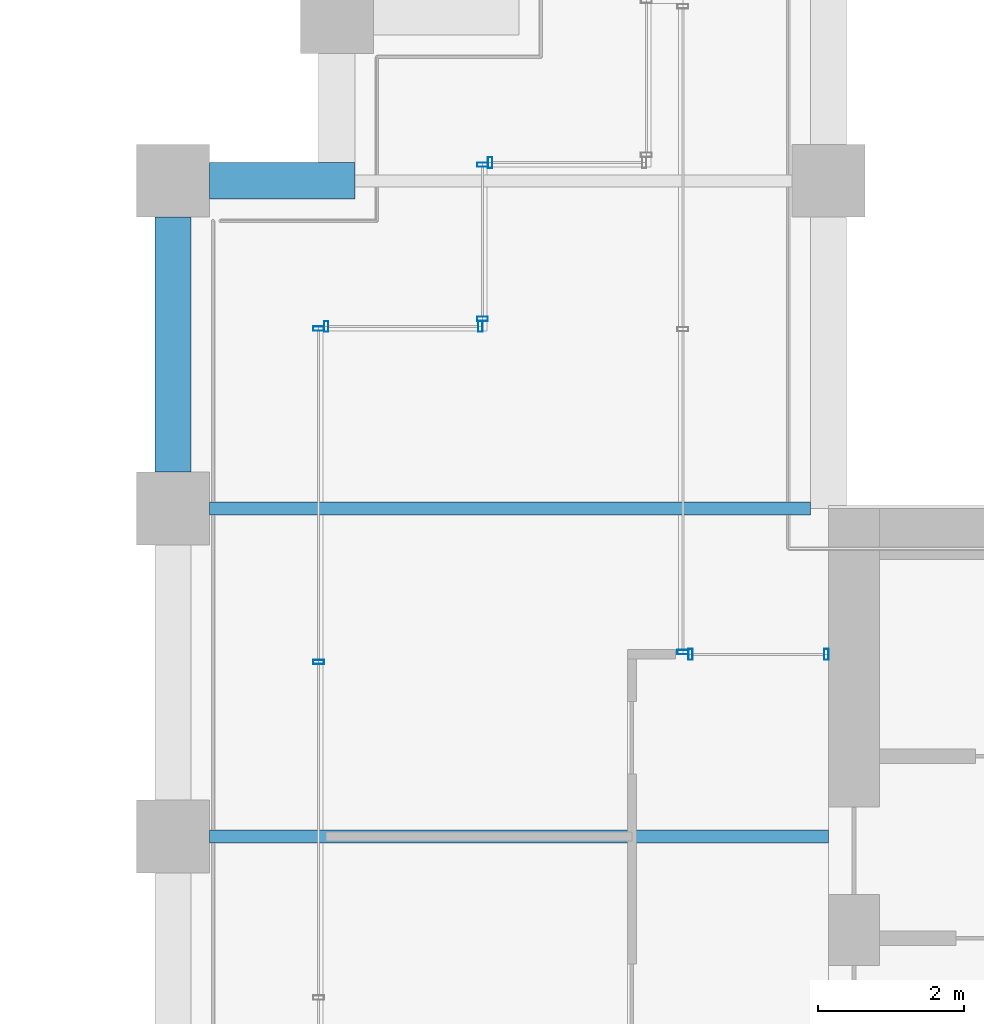
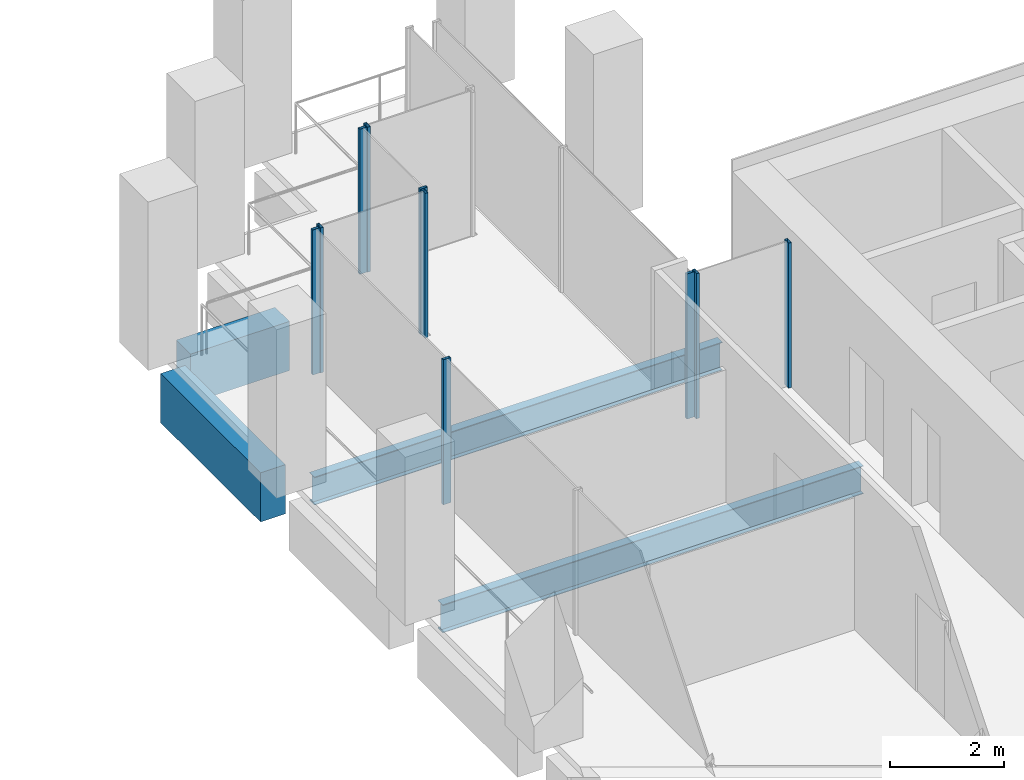
# One storey, part 34 of 47: 10 members, 4 beams, 6 elements without a shape of their own.
"""IFC4 building model written with IfcOpenShell, lengths in metres."""

from ifc_helpers import new_model, si_unit, direction, frame, origin, origin_2d, place, context, subcontext, project, spatial, rectangle, hollow_rectangle, i_section, extrude, material, material_profile, profile_set, type_object, element, aggregate, save


model = new_model("IFC4")

# Units and contexts
model_context = context("Model", 3, precision=1e-05, world=origin(), true_north=direction((0.0, 1.0)))
body_context = subcontext(model_context, "Body", "Model", "MODEL_VIEW")
ifc_project = project(units=[si_unit("LENGTHUNIT", "METRE"), si_unit("AREAUNIT", "SQUARE_METRE"), si_unit("VOLUMEUNIT", "CUBIC_METRE"), si_unit("PLANEANGLEUNIT", "RADIAN"), si_unit("MASSUNIT", "GRAM", prefix="KILO")], contexts=[model_context])

# Site, building, storey
site_placement = place(None, origin())
site = spatial("IfcSite", under=ifc_project, at=site_placement, CompositionType="ELEMENT")
building_placement = place(site_placement, origin())
building = spatial("IfcBuilding", under=site, at=building_placement, Name="Altepetl Exchange Towers", CompositionType="ELEMENT")
storey_placement = place(building_placement, frame((0.0, 0.0, 95.60009765625)))
storey = spatial("IfcBuildingStorey", under=building, at=storey_placement, Name="L23", CompositionType="ELEMENT", Elevation=95.60009765625)

# Beams
ifc_material_1 = material(Name="Steel S355", Category="steel")
ifc_material_profile_1 = material_profile(ifc_material_1, i_section(OverallWidth=0.177978515625, OverallDepth=0.59912109375, WebThickness=0.010009765625, FlangeThickness=0.0126953125, at=origin_2d()), Name="W24X55")
ifc_profile_set_1 = profile_set([ifc_material_profile_1], Name="Steel S355")
beam_type_1 = type_object("IfcBeamType", Name="Floor beam W24X55", PredefinedType="BEAM", material=ifc_profile_set_1)
beam_1_placement = place(storey_placement, frame((95.0, 45.0, -0.44970703125), z_axis=(1.0, 0.0, 0.0), x_axis=(0.0, 1.0, 0.0)))
element("IfcBeam", 1, at=beam_1_placement, inside=storey, type_object=beam_type_1, Name="bm:B:L23:009", PredefinedType="BEAM", context=body_context, shape_type="SweptSolid", body=[
    extrude(i_section(OverallWidth=0.177978515625, OverallDepth=0.59912109375, WebThickness=0.010009765625, FlangeThickness=0.0126953125, at=origin_2d()), origin(), (0.0, 0.0, 1.0), 8.5),
])
beam_2_placement = place(storey_placement, frame((95.0, 49.5, -0.44970703125), z_axis=(1.0, 0.0, 0.0), x_axis=(0.0, 1.0, 0.0)))
element("IfcBeam", 2, at=beam_2_placement, inside=storey, type_object=beam_type_1, Name="bm:B:L23:010", PredefinedType="BEAM", context=body_context, shape_type="SweptSolid", body=[
    extrude(i_section(OverallWidth=0.177978515625, OverallDepth=0.59912109375, WebThickness=0.010009765625, FlangeThickness=0.0126953125, at=origin_2d()), origin(), (0.0, 0.0, 1.0), 8.25),
])

# Curtain wall, members
ifc_material_2 = material(Name="Aluminium 6063-T6 glazing", Category="aluminium")
curtain_wall_type = type_object("IfcCurtainWallType", Name="Loggia glazing system", PredefinedType="NOTDEFINED", material=ifc_material_2)
curtain_wall_1_placement = place(storey_placement, origin())
curtain_wall_1 = element("IfcCurtainWall", 3, at=curtain_wall_1_placement, inside=storey, type_object=curtain_wall_type, Name="CW1 run", PredefinedType="NOTDEFINED")
ifc_material_3 = material(Name="Aluminium 6063-T6", Category="aluminium")
ifc_material_profile_2 = material_profile(ifc_material_3, hollow_rectangle(XDim=0.06005859375, YDim=0.14990234375, WallThickness=0.0029296875, at=origin_2d()), Name="Mullion 60x150 aluminium")
ifc_profile_set_2 = profile_set([ifc_material_profile_2], Name="Aluminium 6063-T6")
member_type = type_object("IfcMemberType", Name="Mullion 60x150 aluminium", PredefinedType="MULLION", material=ifc_profile_set_2)
member_1_placement = place(storey_placement, frame((98.719970703125, 52.0, 0.0), z_axis=(0.0, 0.0, 1.0), x_axis=(-1.0, 0.0, 0.0)))
member_1 = element("IfcMember", 4, at=member_1_placement, type_object=member_type, Name="MU1 mullion", PredefinedType="MULLION", context=body_context, shape_type="SweptSolid", body=[
    extrude(hollow_rectangle(XDim=0.06005859375, YDim=0.14990234375, WallThickness=0.0029296875, at=origin_2d()), origin(), (0.0, 0.0, 1.0), 3.099853515625),
])
member_2_placement = place(storey_placement, frame((96.60498046875, 52.0, 0.0), z_axis=(0.0, 0.0, 1.0), x_axis=(-1.0, 0.0, 0.0)))
member_2 = element("IfcMember", 5, at=member_2_placement, type_object=member_type, Name="MU1 mullion", PredefinedType="MULLION", context=body_context, shape_type="SweptSolid", body=[
    extrude(hollow_rectangle(XDim=0.06005859375, YDim=0.14990234375, WallThickness=0.0029296875, at=origin_2d()), origin(), (0.0, 0.0, 1.0), 3.099853515625),
])
aggregate(curtain_wall_1, [member_1, member_2])

curtain_wall_2_placement = place(storey_placement, origin())
curtain_wall_2 = element("IfcCurtainWall", 6, at=curtain_wall_2_placement, inside=storey, type_object=curtain_wall_type, Name="CW1 run", PredefinedType="NOTDEFINED")
member_3_placement = place(storey_placement, frame((96.5, 51.969970703125, 0.0), z_axis=(0.0, 0.0, 1.0), x_axis=(0.0, -1.0, 0.0)))
member_3 = element("IfcMember", 7, at=member_3_placement, type_object=member_type, Name="MU1 mullion", PredefinedType="MULLION", context=body_context, shape_type="SweptSolid", body=[
    extrude(hollow_rectangle(XDim=0.06005859375, YDim=0.14990234375, WallThickness=0.0029296875, at=origin_2d()), origin(), (0.0, 0.0, 1.0), 3.099853515625),
])
member_4_placement = place(storey_placement, frame((96.5, 47.393798828125, 0.0), z_axis=(0.0, 0.0, 1.0), x_axis=(0.0, -1.0, 0.0)))
member_4 = element("IfcMember", 8, at=member_4_placement, type_object=member_type, Name="MU1 mullion", PredefinedType="MULLION", context=body_context, shape_type="SweptSolid", body=[
    extrude(hollow_rectangle(XDim=0.06005859375, YDim=0.14990234375, WallThickness=0.0029296875, at=origin_2d()), origin(), (0.0, 0.0, 1.0), 3.099853515625),
])
aggregate(curtain_wall_2, [member_3, member_4])

curtain_wall_3_placement = place(storey_placement, origin())
curtain_wall_3 = element("IfcCurtainWall", 9, at=curtain_wall_3_placement, inside=storey, type_object=curtain_wall_type, Name="CW1 run", PredefinedType="NOTDEFINED")
member_5_placement = place(storey_placement, frame((103.469970703125, 47.5, 0.0), z_axis=(0.0, 0.0, 1.0), x_axis=(-1.0, 0.0, 0.0)))
member_5 = element("IfcMember", 10, at=member_5_placement, type_object=member_type, Name="MU1 mullion", PredefinedType="MULLION", context=body_context, shape_type="SweptSolid", body=[
    extrude(hollow_rectangle(XDim=0.06005859375, YDim=0.14990234375, WallThickness=0.0029296875, at=origin_2d()), origin(), (0.0, 0.0, 1.0), 3.099853515625),
])
member_6_placement = place(storey_placement, frame((101.60498046875, 47.5, 0.0), z_axis=(0.0, 0.0, 1.0), x_axis=(-1.0, 0.0, 0.0)))
member_6 = element("IfcMember", 11, at=member_6_placement, type_object=member_type, Name="MU1 mullion", PredefinedType="MULLION", context=body_context, shape_type="SweptSolid", body=[
    extrude(hollow_rectangle(XDim=0.06005859375, YDim=0.14990234375, WallThickness=0.0029296875, at=origin_2d()), origin(), (0.0, 0.0, 1.0), 3.099853515625),
])
aggregate(curtain_wall_3, [member_5, member_6])

# Curtain wall, member
curtain_wall_4_placement = place(storey_placement, origin())
curtain_wall_4 = element("IfcCurtainWall", 12, at=curtain_wall_4_placement, inside=storey, type_object=curtain_wall_type, Name="CW1 run", PredefinedType="NOTDEFINED")
member_7_placement = place(storey_placement, frame((101.5, 47.530029296875, 0.0), z_axis=(0.0, 0.0, 1.0), x_axis=(0.0, 1.0, 0.0)))
member_7 = element("IfcMember", 13, at=member_7_placement, type_object=member_type, Name="MU1 mullion", PredefinedType="MULLION", context=body_context, shape_type="SweptSolid", body=[
    extrude(hollow_rectangle(XDim=0.06005859375, YDim=0.14990234375, WallThickness=0.0029296875, at=origin_2d()), origin(), (0.0, 0.0, 1.0), 3.099853515625),
])
aggregate(curtain_wall_4, [member_7])

curtain_wall_5_placement = place(storey_placement, origin())
curtain_wall_5 = element("IfcCurtainWall", 14, at=curtain_wall_5_placement, inside=storey, type_object=curtain_wall_type, Name="CW1 run", PredefinedType="NOTDEFINED")
member_8_placement = place(storey_placement, frame((98.85498046875, 54.25, 0.0), z_axis=(0.0, 0.0, 1.0), x_axis=(-1.0, 0.0, 0.0)))
member_8 = element("IfcMember", 15, at=member_8_placement, type_object=member_type, Name="MU1 mullion", PredefinedType="MULLION", context=body_context, shape_type="SweptSolid", body=[
    extrude(hollow_rectangle(XDim=0.06005859375, YDim=0.14990234375, WallThickness=0.0029296875, at=origin_2d()), origin(), (0.0, 0.0, 1.0), 3.099853515625),
])
aggregate(curtain_wall_5, [member_8])

# Curtain wall, members
curtain_wall_6_placement = place(storey_placement, origin())
curtain_wall_6 = element("IfcCurtainWall", 16, at=curtain_wall_6_placement, inside=storey, type_object=curtain_wall_type, Name="CW1 run", PredefinedType="NOTDEFINED")
member_9_placement = place(storey_placement, frame((98.75, 54.219970703125, 0.0), z_axis=(0.0, 0.0, 1.0), x_axis=(0.0, -1.0, 0.0)))
member_9 = element("IfcMember", 17, at=member_9_placement, type_object=member_type, Name="MU1 mullion", PredefinedType="MULLION", context=body_context, shape_type="SweptSolid", body=[
    extrude(hollow_rectangle(XDim=0.06005859375, YDim=0.14990234375, WallThickness=0.0029296875, at=origin_2d()), origin(), (0.0, 0.0, 1.0), 3.099853515625),
])
member_10_placement = place(storey_placement, frame((98.75, 52.10498046875, 0.0), z_axis=(0.0, 0.0, 1.0), x_axis=(0.0, -1.0, 0.0)))
member_10 = element("IfcMember", 18, at=member_10_placement, type_object=member_type, Name="MU1 mullion", PredefinedType="MULLION", context=body_context, shape_type="SweptSolid", body=[
    extrude(hollow_rectangle(XDim=0.06005859375, YDim=0.14990234375, WallThickness=0.0029296875, at=origin_2d()), origin(), (0.0, 0.0, 1.0), 3.099853515625),
])
aggregate(curtain_wall_6, [member_9, member_10])

# Beams
ifc_material_4 = material(Name="Concrete C50/60 precast with cantera rosa facing", Category="concrete")
ifc_material_profile_3 = material_profile(ifc_material_4, rectangle(XDim=0.5, YDim=1.050048828125, at=origin_2d()), Name="500 x 1050")
ifc_profile_set_3 = profile_set([ifc_material_profile_3], Name="Concrete C50/60 precast with cantera rosa facing")
beam_type_2 = type_object("IfcBeamType", Name="Spandrel beam 500x1050 cantera rosa", PredefinedType="SPANDREL", material=ifc_profile_set_3)
beam_3_placement = place(storey_placement, frame((97.0, 54.0, -0.675048828125), z_axis=(-1.0, 0.0, 0.0), x_axis=(0.0, -1.0, 0.0)))
element("IfcBeam", 19, at=beam_3_placement, inside=storey, type_object=beam_type_2, Name="sp:B:L23:021", PredefinedType="SPANDREL", context=body_context, shape_type="SweptSolid", body=[
    extrude(rectangle(XDim=0.5, YDim=1.050048828125, at=origin_2d()), origin(), (0.0, 0.0, 1.0), 2.0),
])
beam_4_placement = place(storey_placement, frame((94.5, 53.5, -0.675048828125), z_axis=(0.0, -1.0, 0.0), x_axis=(1.0, 0.0, 0.0)))
element("IfcBeam", 20, at=beam_4_placement, inside=storey, type_object=beam_type_2, Name="sp:B:L23:022", PredefinedType="SPANDREL", context=body_context, shape_type="SweptSolid", body=[
    extrude(rectangle(XDim=0.5, YDim=1.050048828125, at=origin_2d()), origin(), (0.0, 0.0, 1.0), 3.5),
])

save(model, "model.ifc")
